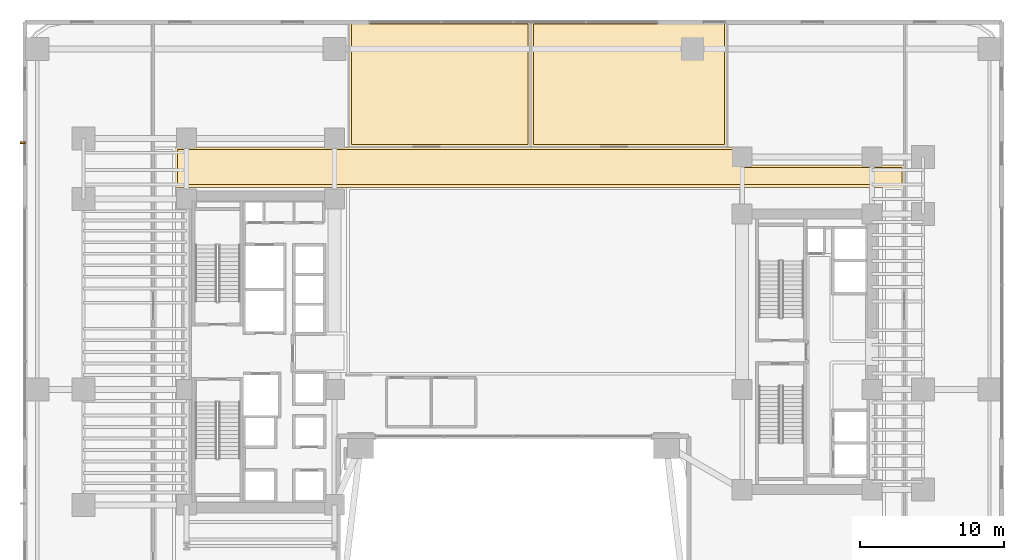
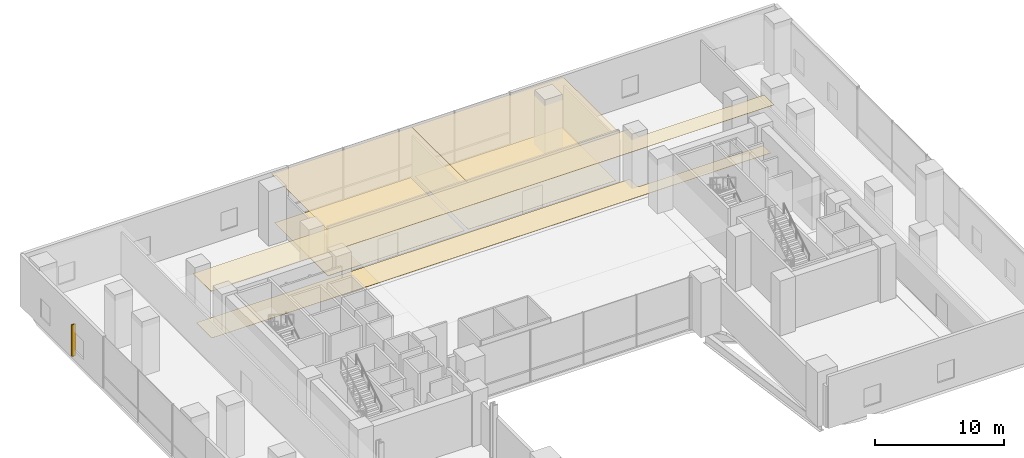
# One storey, part 38 of 39: 6 coverings, 1 shading device.
"""IFC4 building model written with IfcOpenShell, lengths in metres."""

from ifc_helpers import new_model, si_unit, direction, frame, origin, origin_2d, place, context, subcontext, project, spatial, polyline, rectangle, outline, extrude, source, transform, mapped, material, layer, layer_set, type_object, element, save


model = new_model("IFC4")

# Units and contexts
model_context = context("Model", 3, precision=1e-05, world=origin(), true_north=direction((0.0, 1.0)))
body_context = subcontext(model_context, "Body", "Model", "MODEL_VIEW")
ifc_project = project(units=[si_unit("LENGTHUNIT", "METRE"), si_unit("AREAUNIT", "SQUARE_METRE"), si_unit("VOLUMEUNIT", "CUBIC_METRE"), si_unit("PLANEANGLEUNIT", "RADIAN"), si_unit("MASSUNIT", "GRAM", prefix="KILO")], contexts=[model_context])

# Site, building, storey
site_placement = place(None, origin())
site = spatial("IfcSite", under=ifc_project, at=site_placement, CompositionType="ELEMENT")
building_placement = place(site_placement, origin())
building = spatial("IfcBuilding", under=site, at=building_placement, Name="Valdorenza Pilgrim Sanctuary Tower", CompositionType="ELEMENT")
storey_placement = place(building_placement, frame((0.0, 0.0, 5.199951171875)))
storey = spatial("IfcBuildingStorey", under=building, at=storey_placement, Name="L01", CompositionType="ELEMENT", Elevation=5.199951171875)

# Coverings
ifc_material_1 = material(Name="Micro-perforated acoustic mineral ceiling tile", Category="gypsum")
ifc_layer_1 = layer(ifc_material_1, 0.02490234375, Name="Micro-perforated acoustic mineral ceiling tile")
ifc_layer_set_1 = layer_set([ifc_layer_1], Name="Micro-perforated acoustic mineral ceiling tile")
covering_type_1 = type_object("IfcCoveringType", Name="COV-CLG-ACU", PredefinedType="CEILING", material=ifc_layer_set_1)
covering_1_placement = place(storey_placement, frame((0.0, 0.0, 4.6201171875)))
element("IfcCovering", 1, at=covering_1_placement, inside=storey, type_object=covering_type_1, Name="L01 Pilgrim Registration Office Acoustic Ceiling", PredefinedType="CEILING", context=body_context, shape_type="SweptSolid", body=[
    extrude(outline(polyline([(-11.39990234375, 14.18505859375), (-11.401611328125, 14.18505859375), (-11.40283203125, 14.185302734375), (-11.404296875, 14.185546875), (-11.40576171875, 14.18603515625), (-11.406982421875, 14.186767578125), (-11.408203125, 14.1875), (-11.409423828125, 14.1884765625), (-11.41064453125, 14.189453125), (-11.41162109375, 14.1904296875), (-11.41259765625, 14.191650390625), (-11.4130859375, 14.19287109375), (-11.413818359375, 14.1943359375), (-11.414306640625, 14.195556640625), (-11.414794921875, 14.197021484375), (-11.414794921875, 14.198486328125), (-11.4150390625, 14.199951171875), (-11.4150390625, 22.889892578125), (-11.414794921875, 22.8916015625), (-11.414794921875, 22.892822265625), (-11.414306640625, 22.894287109375), (-11.413818359375, 22.895751953125), (-11.4130859375, 22.897216796875), (-11.41259765625, 22.898193359375), (-11.41162109375, 22.8994140625), (-11.41064453125, 22.900634765625), (-11.409423828125, 22.901611328125), (-11.408203125, 22.902587890625), (-11.406982421875, 22.9033203125), (-11.40576171875, 22.90380859375), (-11.404296875, 22.904296875), (-11.40283203125, 22.90478515625), (-11.401611328125, 22.90478515625), (-11.39990234375, 22.905029296875), (1.199951171875, 22.905029296875), (1.201416015625, 22.90478515625), (1.202880859375, 22.90478515625), (1.204345703125, 22.904296875), (1.205810546875, 22.90380859375), (1.20703125, 22.9033203125), (1.208251953125, 22.902587890625), (1.20947265625, 22.901611328125), (1.210693359375, 22.900634765625), (1.211669921875, 22.8994140625), (1.21240234375, 22.898193359375), (1.213134765625, 22.897216796875), (1.2138671875, 22.895751953125), (1.21435546875, 22.894287109375), (1.214599609375, 22.892822265625), (1.21484375, 22.8916015625), (1.215087890625, 22.889892578125), (1.215087890625, 14.199951171875), (1.21484375, 14.198486328125), (1.214599609375, 14.197021484375), (1.21435546875, 14.195556640625), (1.2138671875, 14.1943359375), (1.213134765625, 14.19287109375), (1.21240234375, 14.191650390625), (1.211669921875, 14.1904296875), (1.210693359375, 14.189453125), (1.20947265625, 14.1884765625), (1.208251953125, 14.1875), (1.20703125, 14.186767578125), (1.205810546875, 14.18603515625), (1.204345703125, 14.185546875), (1.202880859375, 14.185302734375), (1.201416015625, 14.18505859375), (1.199951171875, 14.18505859375), (-11.39990234375, 14.18505859375)])), origin(), (0.0, 0.0, 1.0), 0.02490234375),
])
covering_2_placement = place(storey_placement, frame((0.0, 0.0, 4.6201171875)))
element("IfcCovering", 2, at=covering_2_placement, inside=storey, type_object=covering_type_1, Name="L01 Heritage Briefing Office Acoustic Ceiling", PredefinedType="CEILING", context=body_context, shape_type="SweptSolid", body=[
    extrude(outline(polyline([(1.201904296875, 14.18505859375), (1.200439453125, 14.18505859375), (1.19921875, 14.185302734375), (1.197509765625, 14.185546875), (1.1962890625, 14.18603515625), (1.19482421875, 14.186767578125), (1.193603515625, 14.1875), (1.1923828125, 14.1884765625), (1.19140625, 14.189453125), (1.1904296875, 14.1904296875), (1.189453125, 14.191650390625), (1.188720703125, 14.19287109375), (1.18798828125, 14.1943359375), (1.1875, 14.195556640625), (1.187255859375, 14.197021484375), (1.18701171875, 14.198486328125), (1.18701171875, 14.199951171875), (1.18701171875, 22.889892578125), (1.18701171875, 22.8916015625), (1.187255859375, 22.892822265625), (1.1875, 22.894287109375), (1.18798828125, 22.895751953125), (1.188720703125, 22.897216796875), (1.189453125, 22.898193359375), (1.1904296875, 22.8994140625), (1.19140625, 22.900634765625), (1.1923828125, 22.901611328125), (1.193603515625, 22.902587890625), (1.19482421875, 22.9033203125), (1.1962890625, 22.90380859375), (1.197509765625, 22.904296875), (1.19921875, 22.90478515625), (1.200439453125, 22.90478515625), (1.201904296875, 22.905029296875), (14.800048828125, 22.905029296875), (14.801513671875, 22.90478515625), (14.802978515625, 22.90478515625), (14.804443359375, 22.904296875), (14.8056640625, 22.90380859375), (14.80712890625, 22.9033203125), (14.808349609375, 22.902587890625), (14.8095703125, 22.901611328125), (14.810546875, 22.900634765625), (14.8115234375, 22.8994140625), (14.8125, 22.898193359375), (14.813232421875, 22.897216796875), (14.81396484375, 22.895751953125), (14.814453125, 22.894287109375), (14.814697265625, 22.892822265625), (14.81494140625, 22.8916015625), (14.81494140625, 22.889892578125), (14.81494140625, 14.199951171875), (14.81494140625, 14.198486328125), (14.814697265625, 14.197021484375), (14.814453125, 14.195556640625), (14.81396484375, 14.1943359375), (14.813232421875, 14.19287109375), (14.8125, 14.191650390625), (14.8115234375, 14.1904296875), (14.810546875, 14.189453125), (14.8095703125, 14.1884765625), (14.808349609375, 14.1875), (14.80712890625, 14.186767578125), (14.8056640625, 14.18603515625), (14.804443359375, 14.185546875), (14.802978515625, 14.185302734375), (14.801513671875, 14.18505859375), (14.800048828125, 14.18505859375), (1.201904296875, 14.18505859375)])), origin(), (0.0, 0.0, 1.0), 0.02490234375),
])
covering_3_placement = place(storey_placement, frame((0.0, 0.0, 4.6201171875)))
element("IfcCovering", 3, at=covering_3_placement, inside=storey, type_object=covering_type_1, Name="L01 L01 Podium North Concourse Acoustic Ceiling", PredefinedType="CEILING", context=body_context, shape_type="SweptSolid", body=[
    extrude(outline(polyline([(-23.447998046875, 11.405029296875), (-23.449462890625, 11.405029296875), (-23.450927734375, 11.4052734375), (-23.452392578125, 11.405517578125), (-23.45361328125, 11.406005859375), (-23.455078125, 11.40673828125), (-23.456298828125, 11.407470703125), (-23.45751953125, 11.408447265625), (-23.45849609375, 11.409423828125), (-23.459716796875, 11.410400390625), (-23.46044921875, 11.41162109375), (-23.461181640625, 11.412841796875), (-23.4619140625, 11.414306640625), (-23.46240234375, 11.41552734375), (-23.462646484375, 11.4169921875), (-23.462890625, 11.41845703125), (-23.462890625, 11.419921875), (-23.462890625, 14.199951171875), (-23.462890625, 14.201416015625), (-23.462646484375, 14.202880859375), (-23.46240234375, 14.204345703125), (-23.4619140625, 14.205810546875), (-23.461181640625, 14.20703125), (-23.46044921875, 14.208251953125), (-23.459716796875, 14.20947265625), (-23.45849609375, 14.210693359375), (-23.45751953125, 14.211669921875), (-23.456298828125, 14.21240234375), (-23.455078125, 14.213134765625), (-23.45361328125, 14.2138671875), (-23.452392578125, 14.21435546875), (-23.450927734375, 14.214599609375), (-23.449462890625, 14.21484375), (-23.447998046875, 14.215087890625), (-11.402099609375, 14.215087890625), (-11.400390625, 14.21484375), (-11.39892578125, 14.214599609375), (-11.3974609375, 14.21435546875), (-11.39599609375, 14.2138671875), (-11.394775390625, 14.213134765625), (-11.39453125, 14.212890625), (1.1982421875, 14.212890625), (1.198974609375, 14.213134765625), (1.200439453125, 14.21337890625), (1.201904296875, 14.213134765625), (1.20361328125, 14.213134765625), (1.203857421875, 14.212890625), (14.79443359375, 14.212890625), (14.794677734375, 14.213134765625), (14.796142578125, 14.2138671875), (14.797607421875, 14.21435546875), (14.799072265625, 14.214599609375), (14.800537109375, 14.21484375), (14.802001953125, 14.215087890625), (15.85009765625, 14.215087890625), (15.8515625, 14.21484375), (15.852783203125, 14.214599609375), (15.8544921875, 14.21435546875), (15.855712890625, 14.2138671875), (15.857177734375, 14.213134765625), (15.8583984375, 14.21240234375), (15.859619140625, 14.211669921875), (15.860595703125, 14.210693359375), (15.861572265625, 14.20947265625), (15.862548828125, 14.208251953125), (15.86328125, 14.20703125), (15.864013671875, 14.205810546875), (15.864501953125, 14.204345703125), (15.86474609375, 14.202880859375), (15.864990234375, 14.201416015625), (15.864990234375, 14.199951171875), (15.864990234375, 12.965087890625), (27.097900390625, 12.965087890625), (27.099609375, 12.96484375), (27.100830078125, 12.964599609375), (27.102294921875, 12.96435546875), (27.103759765625, 12.9638671875), (27.10498046875, 12.963134765625), (27.106201171875, 12.96240234375), (27.107421875, 12.961669921875), (27.108642578125, 12.960693359375), (27.109619140625, 12.95947265625), (27.110595703125, 12.958251953125), (27.111083984375, 12.95703125), (27.11181640625, 12.955810546875), (27.1123046875, 12.954345703125), (27.11279296875, 12.952880859375), (27.11279296875, 12.951416015625), (27.113037109375, 12.949951171875), (27.113037109375, 11.419921875), (27.11279296875, 11.41845703125), (27.11279296875, 11.4169921875), (27.1123046875, 11.41552734375), (27.11181640625, 11.414306640625), (27.111083984375, 11.412841796875), (27.110595703125, 11.41162109375), (27.109619140625, 11.410400390625), (27.108642578125, 11.409423828125), (27.107421875, 11.408447265625), (27.106201171875, 11.407470703125), (27.10498046875, 11.40673828125), (27.103759765625, 11.406005859375), (27.102294921875, 11.405517578125), (27.100830078125, 11.4052734375), (27.099609375, 11.405029296875), (27.097900390625, 11.405029296875), (-23.447998046875, 11.405029296875)])), origin(), (0.0, 0.0, 1.0), 0.02490234375),
])
ifc_material_2 = material(Name="Honed travertine stone flooring", Category="masonry")
ifc_layer_2 = layer(ifc_material_2, 0.030029296875, Name="Honed travertine stone flooring")
ifc_layer_set_2 = layer_set([ifc_layer_2], Name="Honed travertine stone flooring")
covering_type_2 = type_object("IfcCoveringType", Name="COV-FLR-TRV", PredefinedType="FLOORING", material=ifc_layer_set_2)
covering_4_placement = place(storey_placement, origin())
element("IfcCovering", 4, at=covering_4_placement, inside=storey, type_object=covering_type_2, Name="L01 Pilgrim Registration Office Flooring", PredefinedType="FLOORING", context=body_context, shape_type="SweptSolid", body=[
    extrude(outline(polyline([(-11.219970703125, 14.3798828125), (-11.219970703125, 22.7099609375), (1.02001953125, 22.7099609375), (1.02001953125, 14.3798828125), (-11.219970703125, 14.3798828125)])), origin(), (0.0, 0.0, 1.0), 0.025146484375),
])
covering_5_placement = place(storey_placement, origin())
element("IfcCovering", 5, at=covering_5_placement, inside=storey, type_object=covering_type_2, Name="L01 Heritage Briefing Office Flooring", PredefinedType="FLOORING", context=body_context, shape_type="SweptSolid", body=[
    extrude(outline(polyline([(1.382080078125, 14.3798828125), (1.382080078125, 22.7099609375), (14.6201171875, 22.7099609375), (14.6201171875, 14.3798828125), (1.382080078125, 14.3798828125)])), origin(), (0.0, 0.0, 1.0), 0.025146484375),
])
covering_6_placement = place(storey_placement, origin())
element("IfcCovering", 6, at=covering_6_placement, inside=storey, type_object=covering_type_2, Name="L01 L01 Podium North Concourse Flooring", PredefinedType="FLOORING", context=body_context, shape_type="SweptSolid", body=[
    extrude(outline(polyline([(-23.26806640625, 11.60009765625), (-23.26806640625, 14.02001953125), (-11.427001953125, 14.02001953125), (-11.4267578125, 14.02001953125), (-11.426513671875, 14.02001953125), (-11.408935546875, 14.018310546875), (-11.40869140625, 14.018310546875), (-11.39990234375, 14.01806640625), (1.199951171875, 14.01806640625), (1.200927734375, 14.01806640625), (1.20166015625, 14.01806640625), (1.201904296875, 14.01806640625), (14.800048828125, 14.01806640625), (14.80029296875, 14.01806640625), (15.669921875, 14.019775390625), (15.669921875, 12.949951171875), (15.6708984375, 12.932373046875), (15.673583984375, 12.914794921875), (15.677734375, 12.897705078125), (15.68359375, 12.881103515625), (15.69140625, 12.864990234375), (15.7001953125, 12.85009765625), (15.7109375, 12.835693359375), (15.72265625, 12.82275390625), (15.73583984375, 12.810791015625), (15.75, 12.80029296875), (15.76513671875, 12.791259765625), (15.781005859375, 12.78369140625), (15.797607421875, 12.77783203125), (15.81494140625, 12.7734375), (15.83251953125, 12.77099609375), (15.85009765625, 12.77001953125), (26.91796875, 12.77001953125), (26.91796875, 11.60009765625), (-23.26806640625, 11.60009765625)])), origin(), (0.0, 0.0, 1.0), 0.025146484375),
])

# Shading device
ifc_material_3 = material(Name="Champagne anodised aluminium", Category="aluminium")
shading_device_type = type_object("IfcShadingDeviceType", Name="SHD-FIN-TRV", PredefinedType="SHUTTER", material=ifc_material_3)
shared_shape = source(origin(), body_context, "Body", "SweptSolid", [
    extrude(rectangle(XDim=0.35009765625, YDim=0.1201171875, at=origin_2d()), origin(), (0.0, 0.0, 1.0), 3.0),
])
shading_device_placement = place(storey_placement, frame((-34.02001953125, 14.5, 0.35009765625), z_axis=(0.0, 0.0, 1.0), x_axis=(1.0, 0.0, 0.0)))
element("IfcShadingDevice", 7, at=shading_device_placement, inside=storey, type_object=shading_device_type, Name="L01 West Solar Shading Fin 2", PredefinedType="SHUTTER", context=body_context, shape_type="MappedRepresentation", body=[
    mapped(shared_shape, transform((0.0, 0.0, 0.0), x_axis=(1.0, 0.0, 0.0), y_axis=(0.0, 1.0, 0.0), z_axis=(0.0, 0.0, 1.0), scale=1.0)),
])

save(model, "model.ifc")
